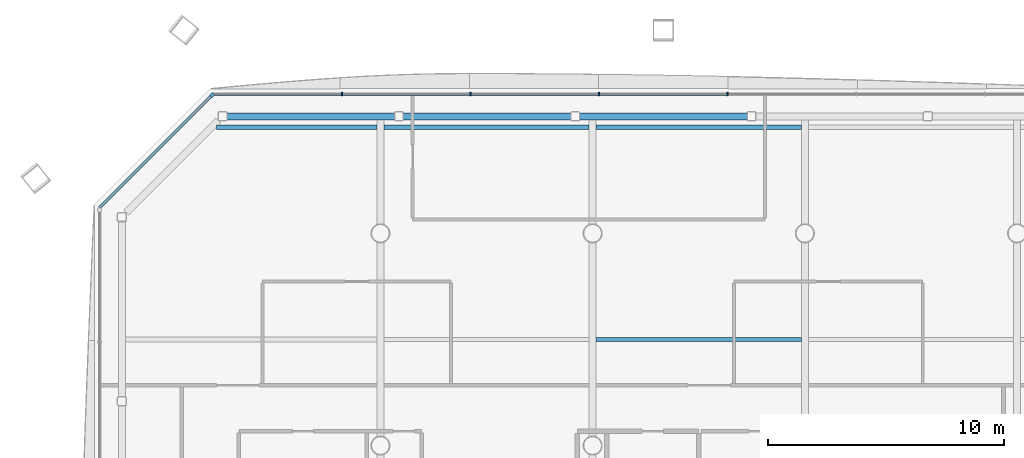
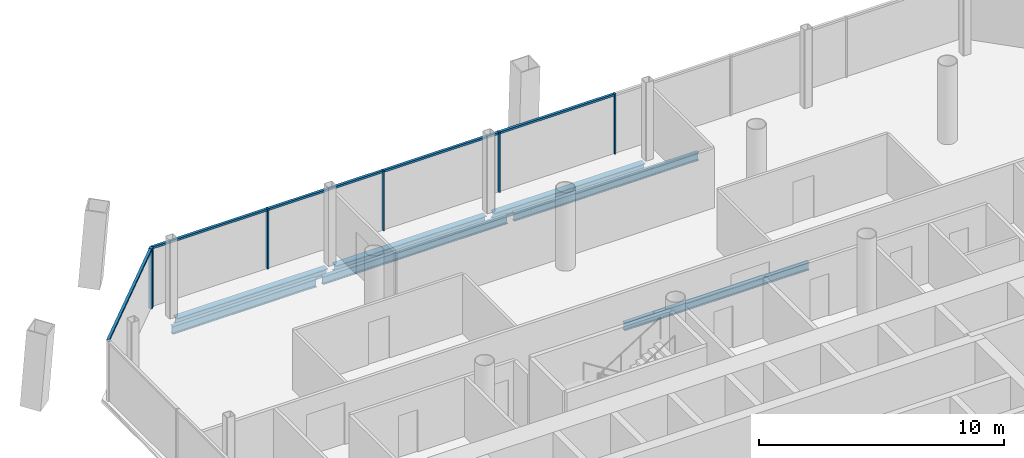
# One storey, part 8 of 19: 10 members, 7 beams, 2 elements without a shape of their own.
"""IFC4 building model written with IfcOpenShell, lengths in metres."""

import ifcopenshell
import ifcopenshell.guid

model = None  # the IFC model being written
_history = None  # IfcOwnerHistory: only IFC2X3 demands one
_inside = {}  # id of a spatial element -> (the spatial element, [elements in it])
_under = {}  # id of a project, library or spatial element -> (it, [spatial elements below it])
_declared = {}  # id of a project -> (the project, [libraries it declares])
_typed = {}  # id of a type object -> (the type object, [elements of that type])
_made_of = {}  # id of a material, layer set ... -> (it, [elements and type objects made of it])


def new_model(schema):
    """Start an empty IFC model of exactly this schema.

    Asked for "IFC4X3", IfcOpenShell would pick the latest addendum, in which some entities
    have other attributes; the version numbers below select the first issue.
    IFC2X3 requires an IfcOwnerHistory on every rooted entity: one is made here for all.
    """
    global model, _history
    if schema == "IFC4X3":
        model = ifcopenshell.file(schema_version=(4, 3, 0, 0))
    else:
        model = ifcopenshell.file(schema=schema)
    _inside.clear()
    _under.clear()
    _declared.clear()
    _typed.clear()
    _made_of.clear()
    _history = None
    if model.schema == "IFC2X3":
        org = make("IfcOrganization", Name="unknown")
        user = make(
            "IfcPersonAndOrganization",
            ThePerson=make("IfcPerson", FamilyName="unknown"),
            TheOrganization=org,
        )
        app = make(
            "IfcApplication",
            ApplicationDeveloper=org,
            Version="unknown",
            ApplicationFullName="unknown",
            ApplicationIdentifier="unknown",
        )
        _history = make(
            "IfcOwnerHistory",
            OwningUser=user,
            OwningApplication=app,
            ChangeAction="ADDED",
            CreationDate=0,
        )
    return model


def make(cls, **values):
    """One entity of the class cls with the attributes given. An attribute that is None is left unset."""
    return model.create_entity(
        cls, **{name: value for name, value in values.items() if value is not None}
    )


def rooted(cls, **values):
    """An entity with a GlobalId (a new one), such as an element, a storey or a relation."""
    return make(cls, GlobalId=ifcopenshell.guid.new(), OwnerHistory=_history, **values)


def si_unit(unit_type, name, prefix=None):
    """IfcSIUnit, for example si_unit("LENGTHUNIT", "METRE", prefix="MILLI")."""
    return make("IfcSIUnit", UnitType=unit_type, Prefix=prefix, Name=name)


def assignment(units):
    """IfcUnitAssignment: the units of a project."""
    return None if units is None else make("IfcUnitAssignment", Units=units)


def point(xyz):
    """IfcCartesianPoint."""
    return None if xyz is None else make("IfcCartesianPoint", Coordinates=xyz)


def direction(xyz):
    """IfcDirection."""
    return None if xyz is None else make("IfcDirection", DirectionRatios=xyz)


def frame(location, z_axis=None, x_axis=None):
    """IfcAxis2Placement3D, a coordinate frame: its origin and axes. An axis left out is left unset."""
    return make(
        "IfcAxis2Placement3D",
        Location=point(location),
        Axis=direction(z_axis),
        RefDirection=direction(x_axis),
    )


def frame_2d(location, x_axis=None):
    """IfcAxis2Placement2D, a coordinate frame in the plane: its origin and x axis."""
    return make(
        "IfcAxis2Placement2D", Location=point(location), RefDirection=direction(x_axis)
    )


def origin():
    """The frame at (0, 0, 0) with its axes left unset."""
    return frame((0.0, 0.0, 0.0))


def origin_2d():
    """The frame at (0, 0) in the plane with its x axis left unset."""
    return frame_2d((0.0, 0.0))


def place(relative_to, where):
    """IfcLocalPlacement: puts the frame where relative to a parent placement (None: the world)."""
    return make(
        "IfcLocalPlacement", PlacementRelTo=relative_to, RelativePlacement=where
    )


def context(
    kind, dimensions, precision=None, world=None, true_north=None, identifier=None
):
    """IfcGeometricRepresentationContext, for example the 3D "Model" context."""
    return make(
        "IfcGeometricRepresentationContext",
        ContextIdentifier=identifier,
        ContextType=kind,
        CoordinateSpaceDimension=dimensions,
        Precision=precision,
        WorldCoordinateSystem=world,
        TrueNorth=true_north,
    )


def subcontext(parent, identifier, kind, view, scale=None):
    """IfcGeometricRepresentationSubContext, for example "Body" below "Model"."""
    return make(
        "IfcGeometricRepresentationSubContext",
        ContextIdentifier=identifier,
        ContextType=kind,
        ParentContext=parent,
        TargetScale=scale,
        TargetView=view,
    )


def project(units=None, contexts=None):
    """IfcProject with its units and contexts."""
    return rooted(
        "IfcProject",
        Name="project",
        RepresentationContexts=contexts,
        UnitsInContext=assignment(units),
    )


def spatial(cls, under=None, at=None, **own):
    """A site, building, storey or space (cls), placed at a placement, below another one or the project."""
    s = rooted(cls, ObjectPlacement=at, **own)
    if under is not None:
        _under.setdefault(under.id(), (under, []))[1].append(s)
    return s


def profile(cls, at=None, kind="AREA", **sizes):
    """A parametric profile (cls). Its sizes go by their IFC names, for example OverallWidth=200.0."""
    return make(cls, ProfileType=kind, Position=at, **sizes)


def rectangle(**sizes):
    """IfcRectangleProfileDef."""
    return profile("IfcRectangleProfileDef", **sizes)


def i_section(**sizes):
    """IfcIShapeProfileDef."""
    return profile("IfcIShapeProfileDef", **sizes)


def extrude(swept, where, along, depth):
    """IfcExtrudedAreaSolid: the profile swept, set in the frame where, extruded along a direction by depth."""
    return make(
        "IfcExtrudedAreaSolid",
        SweptArea=swept,
        Position=where,
        ExtrudedDirection=direction(along),
        Depth=depth,
    )


def shape(context_of_items, identifier, shape_type, items):
    """IfcShapeRepresentation: the items that make up one representation, for example the "Body"."""
    return make(
        "IfcShapeRepresentation",
        ContextOfItems=context_of_items,
        RepresentationIdentifier=identifier,
        RepresentationType=shape_type,
        Items=items,
    )


def material(Name=None, Category=None):
    """IfcMaterial."""
    return make("IfcMaterial", Name=Name, Category=Category)


def material_profile(
    of_material, cross_section, Name=None, Category=None, Priority=None
):
    """IfcMaterialProfile: a cross section and its material."""
    return make(
        "IfcMaterialProfile",
        Name=Name,
        Material=of_material,
        Profile=cross_section,
        Priority=Priority,
        Category=Category,
    )


def profile_set(profiles, Name=None, composite=None):
    """IfcMaterialProfileSet."""
    return make(
        "IfcMaterialProfileSet",
        Name=Name,
        MaterialProfiles=profiles,
        CompositeProfile=composite,
    )


def made_of(thing, what):
    """Note that an element or type object is made of a material, layer set ...; save() writes the relation."""
    if what is not None:
        _made_of.setdefault(what.id(), (what, []))[1].append(thing)
    return thing


def type_object(cls, material=None, **own):
    """A type object (cls), such as IfcWallType, which elements share."""
    return made_of(rooted(cls, **own), material)


def element(
    cls,
    number,
    at=None,
    inside=None,
    cuts=None,
    type_object=None,
    material=None,
    context=None,
    identifier="Body",
    shape_type=None,
    held_by="IfcProductDefinitionShape",
    body=None,
    shapes=None,
    **own,
):
    """One element of the class cls, such as IfcWall. Its Tag is "e" and its number.

    at: its placement. inside: the storey or other place that contains it. cuts: it is an
    opening in that element (IfcRelVoidsElement). A single representation is given by context,
    identifier, shape_type and body (its items); several are given by shapes. held_by: the class
    of the entity that holds the representations. save() writes the other relations.
    """
    e = rooted(cls, Tag="e%d" % number, ObjectPlacement=at, **own)
    if body is not None:
        shapes = [shape(context, identifier, shape_type, body)]
    if shapes is not None:
        e.Representation = make(held_by, Representations=shapes)
    if inside is not None:
        _inside.setdefault(inside.id(), (inside, []))[1].append(e)
    if cuts is not None:
        rooted(
            "IfcRelVoidsElement", RelatingBuildingElement=cuts, RelatedOpeningElement=e
        )
    if type_object is not None:
        _typed.setdefault(type_object.id(), (type_object, []))[1].append(e)
    return made_of(e, material)


def aggregate(whole, parts):
    """IfcRelAggregates: a whole, such as a stair, and the parts it consists of."""
    return rooted("IfcRelAggregates", RelatingObject=whole, RelatedObjects=parts)


def save(model, path):
    """Write the relations noted so far, then the file.

    IfcRelAggregates (storeys below a building ...), IfcRelContainedInSpatialStructure (elements
    in a storey), IfcRelDefinesByType, IfcRelAssociatesMaterial and IfcRelDeclares: one each for
    every whole, place, type object, material and project.
    """
    for whole, parts in _under.values():
        aggregate(whole, parts)
    for where, things in _inside.values():
        rooted(
            "IfcRelContainedInSpatialStructure",
            RelatedElements=things,
            RelatingStructure=where,
        )
    for kind, things in _typed.values():
        rooted("IfcRelDefinesByType", RelatedObjects=things, RelatingType=kind)
    for what, things in _made_of.values():
        rooted("IfcRelAssociatesMaterial", RelatedObjects=things, RelatingMaterial=what)
    for by, libraries in _declared.values():
        rooted("IfcRelDeclares", RelatingContext=by, RelatedDefinitions=libraries)
    model.write(path)


model = new_model("IFC4")

# Units and contexts
model_context = context("Model", 3, precision=1e-05, world=origin(), true_north=direction((0.0, 1.0)))
body_context = subcontext(model_context, "Body", "Model", "MODEL_VIEW")
ifc_project = project(units=[si_unit("LENGTHUNIT", "METRE"), si_unit("AREAUNIT", "SQUARE_METRE"), si_unit("VOLUMEUNIT", "CUBIC_METRE"), si_unit("PLANEANGLEUNIT", "RADIAN"), si_unit("MASSUNIT", "GRAM", prefix="KILO")], contexts=[model_context])

# Site, building, storey
site_placement = place(None, origin())
site = spatial("IfcSite", under=ifc_project, at=site_placement, CompositionType="ELEMENT")
building_placement = place(site_placement, origin())
building = spatial("IfcBuilding", under=site, at=building_placement, Name="Tskaro Facet Tower", CompositionType="ELEMENT")
storey_placement = place(building_placement, frame((0.0, 0.0, 105.0)))
storey = spatial("IfcBuildingStorey", under=building, at=storey_placement, Name="L25", CompositionType="ELEMENT", Elevation=105.0)

# Curtain wall, member
ifc_material_1 = material(Name="Bronze anodised aluminium 6063-T6", Category="aluminium")
curtain_wall_type = type_object("IfcCurtainWallType", Name="Bronze office curtain wall (FW1)", PredefinedType="NOTDEFINED", material=ifc_material_1)
curtain_wall_1_placement = place(storey_placement, origin())
curtain_wall_1 = element("IfcCurtainWall", 1, at=curtain_wall_1_placement, inside=storey, type_object=curtain_wall_type, Name="FW1 north-west facet L25", PredefinedType="NOTDEFINED")
ifc_material_profile_1 = material_profile(ifc_material_1, rectangle(XDim=0.159912109375, YDim=0.159912109375, at=origin_2d()), Name="Corner post 160x160")
ifc_profile_set_1 = profile_set([ifc_material_profile_1], Name="Bronze anodised aluminium 6063-T6")
member_type_1 = type_object("IfcMemberType", Name="FW1 bronze corner post 160x160", PredefinedType="MULLION", material=ifc_profile_set_1)
member_1_placement = place(storey_placement, frame((-16.1396484375, 23.8583984375, 0.0), z_axis=(0.0, 0.0, 1.0), x_axis=(-0.707106781187, -0.707106781187, 0.0)))
member_1 = element("IfcMember", 2, at=member_1_placement, type_object=member_type_1, Name="FW1 north-west corner post", PredefinedType="MULLION", context=body_context, shape_type="SweptSolid", body=[
    extrude(rectangle(XDim=0.159912109375, YDim=0.159912109375, at=origin_2d()), origin(), (0.0, 0.0, 1.0), 2.989990234375),
])

# Curtain wall, members
curtain_wall_2_placement = place(storey_placement, origin())
curtain_wall_2 = element("IfcCurtainWall", 3, at=curtain_wall_2_placement, inside=storey, type_object=curtain_wall_type, Name="FW1 north facet L25", PredefinedType="NOTDEFINED")
ifc_material_profile_2 = material_profile(ifc_material_1, rectangle(XDim=0.06005859375, YDim=0.159912109375, at=origin_2d()), Name="Mullion 60x160")
ifc_profile_set_2 = profile_set([ifc_material_profile_2], Name="Bronze anodised aluminium 6063-T6")
member_type_2 = type_object("IfcMemberType", Name="FW1 bronze mullion 60x160", PredefinedType="MULLION", material=ifc_profile_set_2)
member_2_placement = place(storey_placement, frame((5.72607421875, 23.9150390625, 0.0), z_axis=(0.0, 0.0, 1.0), x_axis=(-1.0, 0.0, 0.0)))
member_2 = element("IfcMember", 4, at=member_2_placement, type_object=member_type_2, Name="FW1 north mullion 3", PredefinedType="MULLION", context=body_context, shape_type="SweptSolid", body=[
    extrude(rectangle(XDim=0.06005859375, YDim=0.159912109375, at=origin_2d()), origin(), (0.0, 0.0, 1.0), 2.989990234375),
])
member_3_placement = place(storey_placement, frame((0.27392578125, 23.9150390625, 0.0), z_axis=(0.0, 0.0, 1.0), x_axis=(-1.0, 0.0, 0.0)))
member_3 = element("IfcMember", 5, at=member_3_placement, type_object=member_type_2, Name="FW1 north mullion 4", PredefinedType="MULLION", context=body_context, shape_type="SweptSolid", body=[
    extrude(rectangle(XDim=0.06005859375, YDim=0.159912109375, at=origin_2d()), origin(), (0.0, 0.0, 1.0), 2.989990234375),
])
member_4_placement = place(storey_placement, frame((-5.178466796875, 23.9150390625, 0.0), z_axis=(0.0, 0.0, 1.0), x_axis=(-1.0, 0.0, 0.0)))
member_4 = element("IfcMember", 6, at=member_4_placement, type_object=member_type_2, Name="FW1 north mullion 5", PredefinedType="MULLION", context=body_context, shape_type="SweptSolid", body=[
    extrude(rectangle(XDim=0.06005859375, YDim=0.159912109375, at=origin_2d()), origin(), (0.0, 0.0, 1.0), 2.989990234375),
])
member_5_placement = place(storey_placement, frame((-10.630615234375, 23.9150390625, 0.0), z_axis=(0.0, 0.0, 1.0), x_axis=(-1.0, 0.0, 0.0)))
member_5 = element("IfcMember", 7, at=member_5_placement, type_object=member_type_2, Name="FW1 north mullion 6", PredefinedType="MULLION", context=body_context, shape_type="SweptSolid", body=[
    extrude(rectangle(XDim=0.06005859375, YDim=0.159912109375, at=origin_2d()), origin(), (0.0, 0.0, 1.0), 2.989990234375),
])
ifc_material_profile_3 = material_profile(ifc_material_1, rectangle(XDim=0.1201171875, YDim=0.10009765625, at=origin_2d()), Name="Transom 120x100")
ifc_profile_set_3 = profile_set([ifc_material_profile_3], Name="Bronze anodised aluminium 6063-T6")
member_type_3 = type_object("IfcMemberType", Name="FW1 bronze transom 120x100", PredefinedType="USERDEFINED", material=ifc_profile_set_3)
member_6_placement = place(storey_placement, frame((5.696044921875, 23.9150390625, 2.93994140625), z_axis=(-1.0, 0.0, 0.0), x_axis=(0.0, -1.0, 0.0)))
member_6 = element("IfcMember", 8, at=member_6_placement, type_object=member_type_3, Name="FW1 north transom 4.1", ObjectType="TRANSOM", PredefinedType="USERDEFINED", context=body_context, shape_type="SweptSolid", body=[
    extrude(rectangle(XDim=0.1201171875, YDim=0.10009765625, at=origin_2d()), origin(), (0.0, 0.0, 1.0), 5.39208984375),
])
member_7_placement = place(storey_placement, frame((0.243896484375, 23.9150390625, 2.93994140625), z_axis=(-1.0, 0.0, 0.0), x_axis=(0.0, -1.0, 0.0)))
member_7 = element("IfcMember", 9, at=member_7_placement, type_object=member_type_3, Name="FW1 north transom 5.1", ObjectType="TRANSOM", PredefinedType="USERDEFINED", context=body_context, shape_type="SweptSolid", body=[
    extrude(rectangle(XDim=0.1201171875, YDim=0.10009765625, at=origin_2d()), origin(), (0.0, 0.0, 1.0), 5.392333984375),
])
member_8_placement = place(storey_placement, frame((-5.20849609375, 23.9150390625, 2.93994140625), z_axis=(-1.0, 0.0, 0.0), x_axis=(0.0, -1.0, 0.0)))
member_8 = element("IfcMember", 10, at=member_8_placement, type_object=member_type_3, Name="FW1 north transom 6.1", ObjectType="TRANSOM", PredefinedType="USERDEFINED", context=body_context, shape_type="SweptSolid", body=[
    extrude(rectangle(XDim=0.1201171875, YDim=0.10009765625, at=origin_2d()), origin(), (0.0, 0.0, 1.0), 5.392333984375),
])
member_9_placement = place(storey_placement, frame((-10.66064453125, 23.9150390625, 2.93994140625), z_axis=(-1.0, 0.0, 0.0), x_axis=(0.0, -1.0, 0.0)))
member_9 = element("IfcMember", 11, at=member_9_placement, type_object=member_type_3, Name="FW1 north transom 7.1", ObjectType="TRANSOM", PredefinedType="USERDEFINED", context=body_context, shape_type="SweptSolid", body=[
    extrude(rectangle(XDim=0.1201171875, YDim=0.10009765625, at=origin_2d()), origin(), (0.0, 0.0, 1.0), 5.42236328125),
])
aggregate(curtain_wall_2, [member_2, member_3, member_4, member_5, member_6, member_7, member_8, member_9])

# Member
member_10_placement = place(storey_placement, frame((-16.196044921875, 23.8017578125, 2.93994140625), z_axis=(-0.707125072767, -0.707088489133, 0.0), x_axis=(0.707088489133, -0.707125072767, 0.0)))
member_10 = element("IfcMember", 12, at=member_10_placement, type_object=member_type_3, Name="FW1 north-west transom 1.1", ObjectType="TRANSOM", PredefinedType="USERDEFINED", context=body_context, shape_type="SweptSolid", body=[
    extrude(rectangle(XDim=0.1201171875, YDim=0.10009765625, at=origin_2d()), origin(), (0.0, 0.0, 1.0), 6.673583984375),
])

aggregate(curtain_wall_1, [member_1, member_10])

# Beams
ifc_material_2 = material(Name="Steel S355J2", Category="steel")
ifc_material_profile_4 = material_profile(ifc_material_2, i_section(OverallWidth=0.300048828125, OverallDepth=0.360107421875, WebThickness=0.012451171875, FlangeThickness=0.0224609375, FilletRadius=0.027099609375, at=origin_2d()), Name="HE 360 B")
ifc_profile_set_4 = profile_set([ifc_material_profile_4], Name="Steel S355J2")
beam_type_1 = type_object("IfcBeamType", Name="HE 360 B ring beam", PredefinedType="BEAM", material=ifc_profile_set_4)
beam_1_placement = place(storey_placement, frame((6.55810546875, 22.965087890625, -0.320068359375), z_axis=(-1.0, 0.0, 0.0), x_axis=(0.0, -1.0, 0.0)))
element("IfcBeam", 13, at=beam_1_placement, inside=storey, type_object=beam_type_1, Name="HE 360 B EB15-2", PredefinedType="BEAM", context=body_context, shape_type="SweptSolid", body=[
    extrude(i_section(OverallWidth=0.300048828125, OverallDepth=0.360107421875, WebThickness=0.012451171875, FlangeThickness=0.0224609375, FilletRadius=0.027099609375, at=origin_2d()), origin(), (0.0, 0.0, 1.0), 7.1162109375),
])
for number, where, z_axis, x_axis, name in (
    (14, (-0.91796875, 22.965087890625, -0.320068359375), (-1.0, 0.0, 0.0), (0.0, -1.0, 0.0), "HE 360 B EB16-2"),
    (15, (-8.39404296875, 22.965087890625, -0.320068359375), (-1.0, 0.0, 0.0), (0.0, -1.0, 0.0), "HE 360 B EB17-2"),
):
    element("IfcBeam", number, at=place(storey_placement, frame(where, z_axis=z_axis, x_axis=x_axis)), inside=storey, type_object=beam_type_1, Name=name, PredefinedType="BEAM", context=body_context, shape_type="SweptSolid", body=[
        extrude(i_section(OverallWidth=0.300048828125, OverallDepth=0.360107421875, WebThickness=0.012451171875, FlangeThickness=0.0224609375, FilletRadius=0.027099609375, at=origin_2d()), origin(), (0.0, 0.0, 1.0), 7.115966796875),
    ])
ifc_material_profile_5 = material_profile(ifc_material_2, i_section(OverallWidth=0.179931640625, OverallDepth=0.39990234375, WebThickness=0.008544921875, FlangeThickness=0.013427734375, FilletRadius=0.02099609375, at=origin_2d()), Name="IPE 400")
ifc_profile_set_5 = profile_set([ifc_material_profile_5], Name="Steel S355J2")
beam_type_2 = type_object("IfcBeamType", Name="IPE 400 secondary beam", PredefinedType="BEAM", material=ifc_profile_set_5)
beam_2_placement = place(storey_placement, frame((0.14990234375, 13.5, -0.340087890625), z_axis=(1.0, 0.0, 0.0), x_axis=(0.0, 1.0, 0.0)))
element("IfcBeam", 16, at=beam_2_placement, inside=storey, type_object=beam_type_2, Name="IPE 400 SB5a-3-2", PredefinedType="BEAM", context=body_context, shape_type="SweptSolid", body=[
    extrude(i_section(OverallWidth=0.179931640625, OverallDepth=0.39990234375, WebThickness=0.008544921875, FlangeThickness=0.013427734375, FilletRadius=0.02099609375, at=origin_2d()), origin(), (0.0, 0.0, 1.0), 8.7001953125),
])
beam_3_placement = place(storey_placement, frame((-15.943115234375, 22.5, -0.340087890625), z_axis=(1.0, 0.0, 0.0), x_axis=(0.0, 1.0, 0.0)))
element("IfcBeam", 17, at=beam_3_placement, inside=storey, type_object=beam_type_2, Name="IPE 400 SB6a-1-2", PredefinedType="BEAM", context=body_context, shape_type="SweptSolid", body=[
    extrude(i_section(OverallWidth=0.179931640625, OverallDepth=0.39990234375, WebThickness=0.008544921875, FlangeThickness=0.013427734375, FilletRadius=0.02099609375, at=origin_2d()), origin(), (0.0, 0.0, 1.0), 6.793212890625),
])
for number, where, z_axis, x_axis, name in (
    (18, (-8.85009765625, 22.5, -0.340087890625), (1.0, 0.0, 0.0), (0.0, 1.0, 0.0), "IPE 400 SB6a-2-2"),
    (19, (0.14990234375, 22.5, -0.340087890625), (1.0, 0.0, 0.0), (0.0, 1.0, 0.0), "IPE 400 SB6a-3-2"),
):
    element("IfcBeam", number, at=place(storey_placement, frame(where, z_axis=z_axis, x_axis=x_axis)), inside=storey, type_object=beam_type_2, Name=name, PredefinedType="BEAM", context=body_context, shape_type="SweptSolid", body=[
        extrude(i_section(OverallWidth=0.179931640625, OverallDepth=0.39990234375, WebThickness=0.008544921875, FlangeThickness=0.013427734375, FilletRadius=0.02099609375, at=origin_2d()), origin(), (0.0, 0.0, 1.0), 8.7001953125),
    ])

save(model, "model.ifc")
